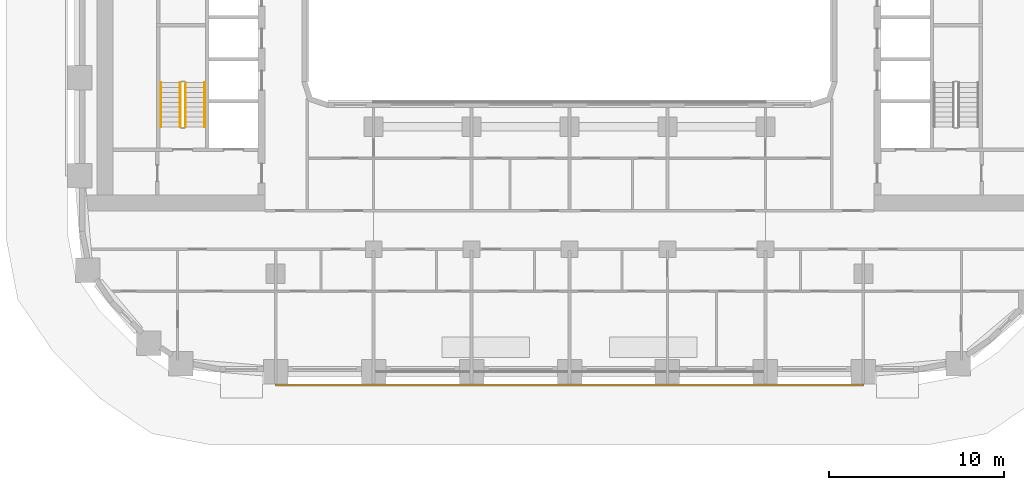
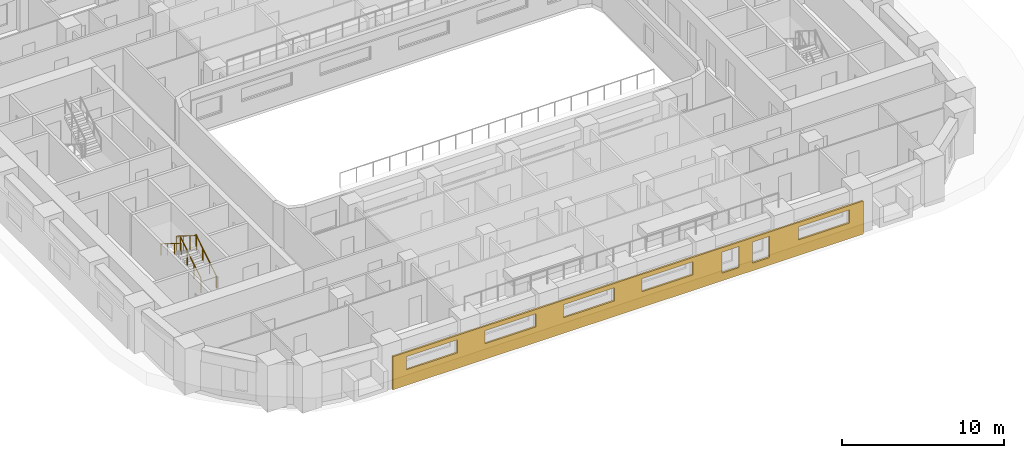
# One storey, part 13 of 18: 4 railings, 1 covering.
"""IFC4 building model written with IfcOpenShell, lengths in metres."""

import ifcopenshell
import ifcopenshell.guid

model = None  # the IFC model being written
_history = None  # IfcOwnerHistory: only IFC2X3 demands one
_inside = {}  # id of a spatial element -> (the spatial element, [elements in it])
_under = {}  # id of a project, library or spatial element -> (it, [spatial elements below it])
_declared = {}  # id of a project -> (the project, [libraries it declares])
_typed = {}  # id of a type object -> (the type object, [elements of that type])
_made_of = {}  # id of a material, layer set ... -> (it, [elements and type objects made of it])


def new_model(schema):
    """Start an empty IFC model of exactly this schema.

    Asked for "IFC4X3", IfcOpenShell would pick the latest addendum, in which some entities
    have other attributes; the version numbers below select the first issue.
    IFC2X3 requires an IfcOwnerHistory on every rooted entity: one is made here for all.
    """
    global model, _history
    if schema == "IFC4X3":
        model = ifcopenshell.file(schema_version=(4, 3, 0, 0))
    else:
        model = ifcopenshell.file(schema=schema)
    _inside.clear()
    _under.clear()
    _declared.clear()
    _typed.clear()
    _made_of.clear()
    _history = None
    if model.schema == "IFC2X3":
        org = make("IfcOrganization", Name="unknown")
        user = make(
            "IfcPersonAndOrganization",
            ThePerson=make("IfcPerson", FamilyName="unknown"),
            TheOrganization=org,
        )
        app = make(
            "IfcApplication",
            ApplicationDeveloper=org,
            Version="unknown",
            ApplicationFullName="unknown",
            ApplicationIdentifier="unknown",
        )
        _history = make(
            "IfcOwnerHistory",
            OwningUser=user,
            OwningApplication=app,
            ChangeAction="ADDED",
            CreationDate=0,
        )
    return model


def make(cls, **values):
    """One entity of the class cls with the attributes given. An attribute that is None is left unset."""
    return model.create_entity(
        cls, **{name: value for name, value in values.items() if value is not None}
    )


def rooted(cls, **values):
    """An entity with a GlobalId (a new one), such as an element, a storey or a relation."""
    return make(cls, GlobalId=ifcopenshell.guid.new(), OwnerHistory=_history, **values)


def si_unit(unit_type, name, prefix=None):
    """IfcSIUnit, for example si_unit("LENGTHUNIT", "METRE", prefix="MILLI")."""
    return make("IfcSIUnit", UnitType=unit_type, Prefix=prefix, Name=name)


def assignment(units):
    """IfcUnitAssignment: the units of a project."""
    return None if units is None else make("IfcUnitAssignment", Units=units)


def point(xyz):
    """IfcCartesianPoint."""
    return None if xyz is None else make("IfcCartesianPoint", Coordinates=xyz)


def direction(xyz):
    """IfcDirection."""
    return None if xyz is None else make("IfcDirection", DirectionRatios=xyz)


def frame(location, z_axis=None, x_axis=None):
    """IfcAxis2Placement3D, a coordinate frame: its origin and axes. An axis left out is left unset."""
    return make(
        "IfcAxis2Placement3D",
        Location=point(location),
        Axis=direction(z_axis),
        RefDirection=direction(x_axis),
    )


def frame_2d(location, x_axis=None):
    """IfcAxis2Placement2D, a coordinate frame in the plane: its origin and x axis."""
    return make(
        "IfcAxis2Placement2D", Location=point(location), RefDirection=direction(x_axis)
    )


def origin():
    """The frame at (0, 0, 0) with its axes left unset."""
    return frame((0.0, 0.0, 0.0))


def origin_2d():
    """The frame at (0, 0) in the plane with its x axis left unset."""
    return frame_2d((0.0, 0.0))


def place(relative_to, where):
    """IfcLocalPlacement: puts the frame where relative to a parent placement (None: the world)."""
    return make(
        "IfcLocalPlacement", PlacementRelTo=relative_to, RelativePlacement=where
    )


def context(
    kind, dimensions, precision=None, world=None, true_north=None, identifier=None
):
    """IfcGeometricRepresentationContext, for example the 3D "Model" context."""
    return make(
        "IfcGeometricRepresentationContext",
        ContextIdentifier=identifier,
        ContextType=kind,
        CoordinateSpaceDimension=dimensions,
        Precision=precision,
        WorldCoordinateSystem=world,
        TrueNorth=true_north,
    )


def subcontext(parent, identifier, kind, view, scale=None):
    """IfcGeometricRepresentationSubContext, for example "Body" below "Model"."""
    return make(
        "IfcGeometricRepresentationSubContext",
        ContextIdentifier=identifier,
        ContextType=kind,
        ParentContext=parent,
        TargetScale=scale,
        TargetView=view,
    )


def project(units=None, contexts=None):
    """IfcProject with its units and contexts."""
    return rooted(
        "IfcProject",
        Name="project",
        RepresentationContexts=contexts,
        UnitsInContext=assignment(units),
    )


def spatial(cls, under=None, at=None, **own):
    """A site, building, storey or space (cls), placed at a placement, below another one or the project."""
    s = rooted(cls, ObjectPlacement=at, **own)
    if under is not None:
        _under.setdefault(under.id(), (under, []))[1].append(s)
    return s


def polyline(points):
    """IfcPolyline through the points."""
    return make("IfcPolyline", Points=[point(p) for p in points])


def profile(cls, at=None, kind="AREA", **sizes):
    """A parametric profile (cls). Its sizes go by their IFC names, for example OverallWidth=200.0."""
    return make(cls, ProfileType=kind, Position=at, **sizes)


def circle(**sizes):
    """IfcCircleProfileDef."""
    return profile("IfcCircleProfileDef", **sizes)


def outline(outer, holes=None, kind="AREA"):
    """IfcArbitraryClosedProfileDef: a profile drawn as a closed curve; with holes, ...WithVoids."""
    if holes is None:
        return make("IfcArbitraryClosedProfileDef", ProfileType=kind, OuterCurve=outer)
    return make(
        "IfcArbitraryProfileDefWithVoids",
        ProfileType=kind,
        OuterCurve=outer,
        InnerCurves=holes,
    )


def extrude(swept, where, along, depth):
    """IfcExtrudedAreaSolid: the profile swept, set in the frame where, extruded along a direction by depth."""
    return make(
        "IfcExtrudedAreaSolid",
        SweptArea=swept,
        Position=where,
        ExtrudedDirection=direction(along),
        Depth=depth,
    )


def shape(context_of_items, identifier, shape_type, items):
    """IfcShapeRepresentation: the items that make up one representation, for example the "Body"."""
    return make(
        "IfcShapeRepresentation",
        ContextOfItems=context_of_items,
        RepresentationIdentifier=identifier,
        RepresentationType=shape_type,
        Items=items,
    )


def material(Name=None, Category=None):
    """IfcMaterial."""
    return make("IfcMaterial", Name=Name, Category=Category)


def layer(
    of_material, thickness, ventilated=None, Name=None, Category=None, Priority=None
):
    """IfcMaterialLayer: one layer of a wall or slab, of a material (None: an air gap)."""
    return make(
        "IfcMaterialLayer",
        Material=of_material,
        LayerThickness=thickness,
        IsVentilated=ventilated,
        Name=Name,
        Category=Category,
        Priority=Priority,
    )


def layer_set(layers, Name=None):
    """IfcMaterialLayerSet."""
    return make("IfcMaterialLayerSet", MaterialLayers=layers, LayerSetName=Name)


def made_of(thing, what):
    """Note that an element or type object is made of a material, layer set ...; save() writes the relation."""
    if what is not None:
        _made_of.setdefault(what.id(), (what, []))[1].append(thing)
    return thing


def type_object(cls, material=None, **own):
    """A type object (cls), such as IfcWallType, which elements share."""
    return made_of(rooted(cls, **own), material)


def element(
    cls,
    number,
    at=None,
    inside=None,
    cuts=None,
    type_object=None,
    material=None,
    context=None,
    identifier="Body",
    shape_type=None,
    held_by="IfcProductDefinitionShape",
    body=None,
    shapes=None,
    **own,
):
    """One element of the class cls, such as IfcWall. Its Tag is "e" and its number.

    at: its placement. inside: the storey or other place that contains it. cuts: it is an
    opening in that element (IfcRelVoidsElement). A single representation is given by context,
    identifier, shape_type and body (its items); several are given by shapes. held_by: the class
    of the entity that holds the representations. save() writes the other relations.
    """
    e = rooted(cls, Tag="e%d" % number, ObjectPlacement=at, **own)
    if body is not None:
        shapes = [shape(context, identifier, shape_type, body)]
    if shapes is not None:
        e.Representation = make(held_by, Representations=shapes)
    if inside is not None:
        _inside.setdefault(inside.id(), (inside, []))[1].append(e)
    if cuts is not None:
        rooted(
            "IfcRelVoidsElement", RelatingBuildingElement=cuts, RelatedOpeningElement=e
        )
    if type_object is not None:
        _typed.setdefault(type_object.id(), (type_object, []))[1].append(e)
    return made_of(e, material)


def aggregate(whole, parts):
    """IfcRelAggregates: a whole, such as a stair, and the parts it consists of."""
    return rooted("IfcRelAggregates", RelatingObject=whole, RelatedObjects=parts)


def save(model, path):
    """Write the relations noted so far, then the file.

    IfcRelAggregates (storeys below a building ...), IfcRelContainedInSpatialStructure (elements
    in a storey), IfcRelDefinesByType, IfcRelAssociatesMaterial and IfcRelDeclares: one each for
    every whole, place, type object, material and project.
    """
    for whole, parts in _under.values():
        aggregate(whole, parts)
    for where, things in _inside.values():
        rooted(
            "IfcRelContainedInSpatialStructure",
            RelatedElements=things,
            RelatingStructure=where,
        )
    for kind, things in _typed.values():
        rooted("IfcRelDefinesByType", RelatedObjects=things, RelatingType=kind)
    for what, things in _made_of.values():
        rooted("IfcRelAssociatesMaterial", RelatedObjects=things, RelatingMaterial=what)
    for by, libraries in _declared.values():
        rooted("IfcRelDeclares", RelatingContext=by, RelatedDefinitions=libraries)
    model.write(path)


model = new_model("IFC4")

# Units and contexts
model_context = context("Model", 3, precision=1e-05, world=origin(), true_north=direction((0.0, 1.0)))
body_context = subcontext(model_context, "Body", "Model", "MODEL_VIEW")
ifc_project = project(units=[si_unit("LENGTHUNIT", "METRE"), si_unit("AREAUNIT", "SQUARE_METRE"), si_unit("VOLUMEUNIT", "CUBIC_METRE"), si_unit("PLANEANGLEUNIT", "RADIAN"), si_unit("MASSUNIT", "GRAM", prefix="KILO")], contexts=[model_context])

# Site, building, storey
site_placement = place(None, origin())
site = spatial("IfcSite", under=ifc_project, at=site_placement, CompositionType="ELEMENT")
building_placement = place(site_placement, origin())
building = spatial("IfcBuilding", under=site, at=building_placement, Name="Kiln Ring Residences", CompositionType="ELEMENT")
storey_placement = place(building_placement, frame((0.0, 0.0, 69.0)))
storey = spatial("IfcBuildingStorey", under=building, at=storey_placement, Name="L17", CompositionType="ELEMENT", Elevation=69.0)

# Railings
ifc_material_1 = material(Name="Stainless steel", Category="steel")
railing_type_1 = type_object("IfcRailingType", Name="CORE-STAIR-GUARD", PredefinedType="GUARDRAIL", material=ifc_material_1)
railing_1_placement = place(storey_placement, frame((-21.949951171875, -8.39990234375, 0.175048828125)))
element("IfcRailing", 1, at=railing_1_placement, inside=storey, type_object=railing_type_1, Name="L17 W-STS stair guard 1", PredefinedType="GUARDRAIL", context=body_context, shape_type="SweptSolid", body=[
    extrude(circle(Radius=0.02392578125, at=origin_2d()), frame((0.0, 0.0, 1.076171875), z_axis=(0.0, 0.848007534815, 0.529984170421), x_axis=(-1.0, 0.0, 0.0)), (0.0, 0.0, 1.0), 2.9716796875),
    extrude(circle(Radius=0.02099609375, at=origin_2d()), origin(), (0.0, 0.0, 1.0), 1.052001953125),
    extrude(circle(Radius=0.02099609375, at=origin_2d()), frame((0.0, 0.840087890625, 0.52490234375)), (0.0, 0.0, 1.0), 1.052001953125),
    extrude(circle(Radius=0.02099609375, at=origin_2d()), frame((0.0, 1.679931640625, 1.050048828125)), (0.0, 0.0, 1.0), 1.052001953125),
    extrude(circle(Radius=0.02099609375, at=origin_2d()), frame((0.0, 2.52001953125, 1.574951171875)), (0.0, 0.0, 1.0), 1.052001953125),
])
railing_2_placement = place(storey_placement, frame((-22.25, -5.8798828125, 1.925048828125)))
element("IfcRailing", 2, at=railing_2_placement, inside=storey, type_object=railing_type_1, Name="L17 W-STS stair guard 3", PredefinedType="GUARDRAIL", context=body_context, shape_type="SweptSolid", body=[
    extrude(circle(Radius=0.02392578125, at=origin_2d()), frame((0.0, 0.0, 1.076171875), z_axis=(0.0, -0.848007534815, 0.529984170421), x_axis=(1.0, 0.0, 0.0)), (0.0, 0.0, 1.0), 2.9716796875),
    extrude(circle(Radius=0.02099609375, at=origin_2d()), origin(), (0.0, 0.0, 1.0), 1.052001953125),
    extrude(circle(Radius=0.02099609375, at=origin_2d()), frame((0.0, -0.840087890625, 0.52490234375)), (0.0, 0.0, 1.0), 1.052001953125),
    extrude(circle(Radius=0.02099609375, at=origin_2d()), frame((0.0, -1.679931640625, 1.050048828125)), (0.0, 0.0, 1.0), 1.052001953125),
    extrude(circle(Radius=0.02099609375, at=origin_2d()), frame((0.0, -2.52001953125, 1.574951171875)), (0.0, 0.0, 1.0), 1.052001953125),
])
ifc_material_2 = material(Name="Stainless steel", Category="steel")
railing_type_2 = type_object("IfcRailingType", Name="CORE-STAIR-HANDRAIL", PredefinedType="HANDRAIL", material=ifc_material_2)
railing_3_placement = place(storey_placement, frame((-20.85009765625, -8.39990234375, 0.175048828125)))
element("IfcRailing", 3, at=railing_3_placement, inside=storey, type_object=railing_type_2, Name="L17 W-STS stair handrail 1", PredefinedType="HANDRAIL", context=body_context, shape_type="SweptSolid", body=[
    extrude(circle(Radius=0.02392578125, at=origin_2d()), frame((0.0, 0.0, 0.8759765625), z_axis=(0.0, 0.848007534815, 0.529984170421), x_axis=(-1.0, 0.0, 0.0)), (0.0, 0.0, 1.0), 2.9716796875),
    extrude(circle(Radius=0.02099609375, at=origin_2d()), origin(), (0.0, 0.0, 1.0), 0.851806640625),
    extrude(circle(Radius=0.02099609375, at=origin_2d()), frame((0.0, 0.840087890625, 0.52490234375)), (0.0, 0.0, 1.0), 0.851806640625),
    extrude(circle(Radius=0.02099609375, at=origin_2d()), frame((0.0, 1.679931640625, 1.050048828125)), (0.0, 0.0, 1.0), 0.851806640625),
    extrude(circle(Radius=0.02099609375, at=origin_2d()), frame((0.0, 2.52001953125, 1.574951171875)), (0.0, 0.0, 1.0), 0.851806640625),
])
railing_4_placement = place(storey_placement, frame((-23.35009765625, -5.8798828125, 1.925048828125)))
element("IfcRailing", 4, at=railing_4_placement, inside=storey, type_object=railing_type_2, Name="L17 W-STS stair handrail 2", PredefinedType="HANDRAIL", context=body_context, shape_type="SweptSolid", body=[
    extrude(circle(Radius=0.02392578125, at=origin_2d()), frame((0.0, 0.0, 0.8759765625), z_axis=(0.0, -0.848007534815, 0.529984170421), x_axis=(1.0, 0.0, 0.0)), (0.0, 0.0, 1.0), 2.9716796875),
    extrude(circle(Radius=0.02099609375, at=origin_2d()), origin(), (0.0, 0.0, 1.0), 0.851806640625),
    extrude(circle(Radius=0.02099609375, at=origin_2d()), frame((0.0, -0.840087890625, 0.52490234375)), (0.0, 0.0, 1.0), 0.851806640625),
    extrude(circle(Radius=0.02099609375, at=origin_2d()), frame((0.0, -1.679931640625, 1.050048828125)), (0.0, 0.0, 1.0), 0.851806640625),
    extrude(circle(Radius=0.02099609375, at=origin_2d()), frame((0.0, -2.52001953125, 1.574951171875)), (0.0, 0.0, 1.0), 0.851806640625),
])

# Covering
ifc_material_3 = material(Name="Brick masonry, dark clay brick", Category="masonry")
ifc_layer = layer(ifc_material_3, 0.1201171875)
ifc_layer_set = layer_set([ifc_layer], Name="RAINSCREEN PANEL 120")
covering_type = type_object("IfcCoveringType", Name="RAINSCREEN PANEL 120", PredefinedType="CLADDING", material=ifc_layer_set)
covering_placement = place(storey_placement, frame((-16.800048828125, -23.159912109375, 0.0), z_axis=(0.0, 0.0, 1.0), x_axis=(1.0, 0.0, 0.0)))
element("IfcCovering", 5, at=covering_placement, inside=storey, type_object=covering_type, Name="RAINSCREEN L17", PredefinedType="CLADDING", context=body_context, shape_type="SweptSolid", body=[
    extrude(outline(polyline([(0.0, 0.0), (33.60009765625, 0.0), (33.60009765625, 2.5), (0.0, 2.5), (0.0, 0.0)]), holes=[polyline([(24.732421875, 0.580078125), (24.732421875, 2.169921875), (23.492431640625, 2.169921875), (23.492431640625, 0.580078125), (24.732421875, 0.580078125)]), polyline([(25.66748046875, 0.580078125), (26.907470703125, 0.580078125), (26.907470703125, 2.169921875), (25.66748046875, 2.169921875), (25.66748046875, 0.580078125)]), polyline([(0.97998046875, 1.179931640625), (4.6201171875, 1.179931640625), (4.6201171875, 2.169921875), (0.97998046875, 2.169921875), (0.97998046875, 1.179931640625)]), polyline([(6.580078125, 1.179931640625), (10.219970703125, 1.179931640625), (10.219970703125, 2.169921875), (6.580078125, 2.169921875), (6.580078125, 1.179931640625)]), polyline([(12.179931640625, 1.179931640625), (15.820068359375, 1.179931640625), (15.820068359375, 2.169921875), (12.179931640625, 2.169921875), (12.179931640625, 1.179931640625)]), polyline([(17.780029296875, 1.179931640625), (21.419921875, 1.179931640625), (21.419921875, 2.169921875), (17.780029296875, 2.169921875), (17.780029296875, 1.179931640625)]), polyline([(28.97998046875, 1.179931640625), (32.6201171875, 1.179931640625), (32.6201171875, 2.169921875), (28.97998046875, 2.169921875), (28.97998046875, 1.179931640625)])]), frame((0.0, 0.06005859375, 0.0), z_axis=(0.0, -1.0, 0.0), x_axis=(1.0, 0.0, 0.0)), (0.0, 0.0, 1.0), 0.1201171875),
])

save(model, "model.ifc")
